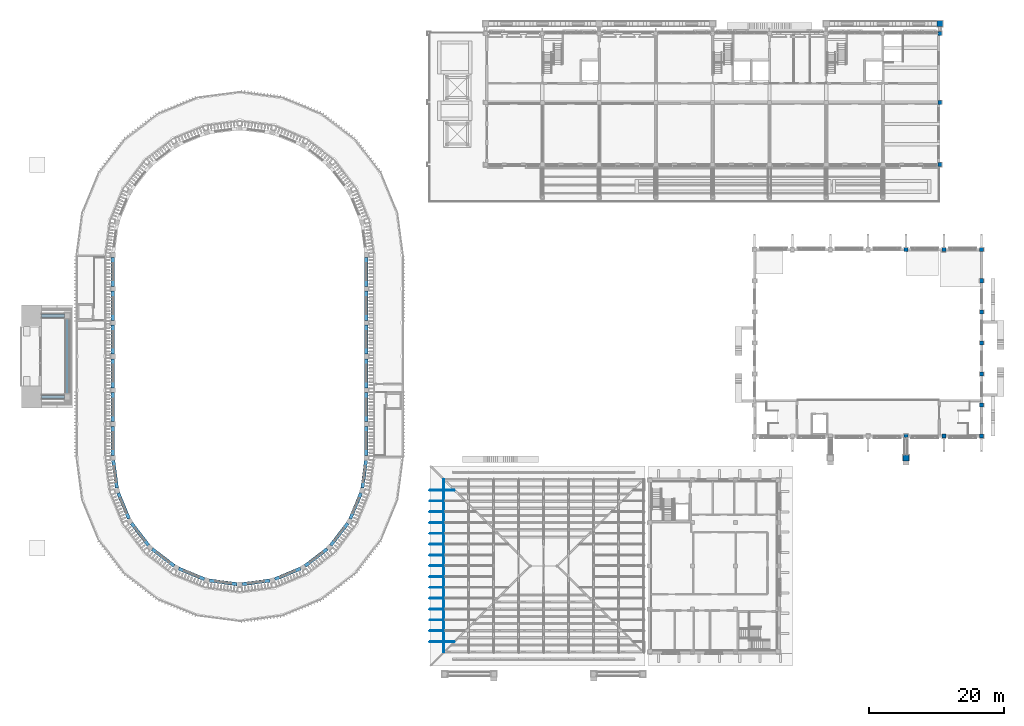
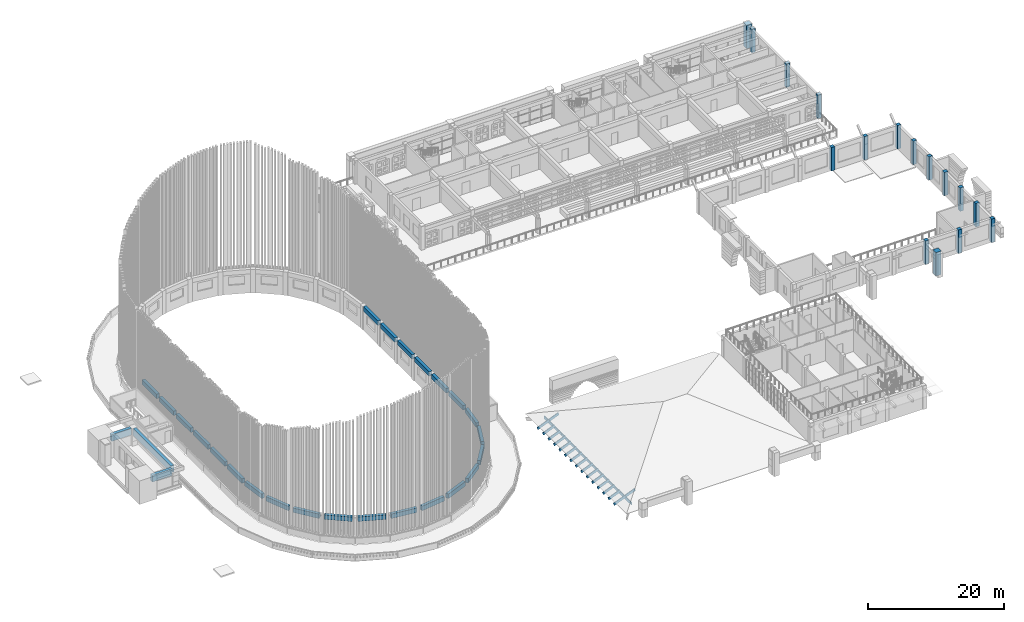
# One storey, part 3 of 68: 32 beams, 17 members, 16 columns.
"""IFC4 building model written with IfcOpenShell, lengths in metres."""

from ifc_helpers import new_model, si_unit, direction, frame, origin, origin_2d, place, context, subcontext, project, spatial, rectangle, extrude, material, material_profile, profile_set, type_object, element, save


model = new_model("IFC4")

# Units and contexts
model_context = context("Model", 3, precision=1e-05, world=origin(), true_north=direction((0.0, 1.0)))
body_context = subcontext(model_context, "Body", "Model", "MODEL_VIEW")
ifc_project = project(units=[si_unit("LENGTHUNIT", "METRE"), si_unit("AREAUNIT", "SQUARE_METRE"), si_unit("VOLUMEUNIT", "CUBIC_METRE"), si_unit("PLANEANGLEUNIT", "RADIAN"), si_unit("MASSUNIT", "GRAM", prefix="KILO")], contexts=[model_context])

# Site, building, storey
site_placement = place(None, origin())
site = spatial("IfcSite", under=ifc_project, at=site_placement, CompositionType="ELEMENT")
building_placement = place(site_placement, origin())
building = spatial("IfcBuilding", under=site, at=building_placement, Name="Wasatch Bagh Community Centre", CompositionType="ELEMENT")
storey_placement = place(building_placement, frame((0.0, 0.0, 8.39990234375)))
storey = spatial("IfcBuildingStorey", under=building, at=storey_placement, Name="L02", CompositionType="ELEMENT", Elevation=8.39990234375)

# Columns
ifc_material_1 = material(Name="Concrete C40", Category="concrete")
ifc_material_profile_1 = material_profile(ifc_material_1, rectangle(XDim=0.89990234375, YDim=0.89990234375, at=origin_2d()), Name="RC 900x900")
ifc_profile_set_1 = profile_set([ifc_material_profile_1], Name="Concrete C40")
column_type_1 = type_object("IfcColumnType", Name="CL-P1", PredefinedType="COLUMN", material=ifc_profile_set_1)
for number, where, z_axis, x_axis, name in (
    (1, (134.60009765625, 35.0, 0.0), (0.0, 0.0, 1.0), (1.0, 0.0, 0.0), "CL-P1 pier SHP2"),
    (2, (139.60009765625, 99.25, 0.0), (0.0, 0.0, 1.0), (1.0, 0.0, 0.0), "CL-P1 pier LWP06"),
):
    element("IfcColumn", number, at=place(storey_placement, frame(where, z_axis=z_axis, x_axis=x_axis)), inside=storey, type_object=column_type_1, Name=name, PredefinedType="COLUMN", context=body_context, shape_type="SweptSolid", body=[
        extrude(rectangle(XDim=0.89990234375, YDim=0.89990234375, at=origin_2d()), origin(), (0.0, 0.0, 1.0), 4.2001953125),
    ])
ifc_material_profile_2 = material_profile(ifc_material_1, rectangle(XDim=0.60009765625, YDim=0.60009765625, at=origin_2d()), Name="RC 600x600")
ifc_profile_set_2 = profile_set([ifc_material_profile_2], Name="Concrete C40")
column_type_2 = type_object("IfcColumnType", Name="LW RC 600x600", PredefinedType="COLUMN", material=ifc_profile_set_2)
for number, where, z_axis, x_axis, name in (
    (3, (139.60009765625, 87.60009765625, 0.0), (0.0, 0.0, 1.0), (1.0, 0.0, 0.0), "W10M"),
    (4, (139.60009765625, 97.800048828125, 0.0), (0.0, 0.0, 1.0), (1.0, 0.0, 0.0), "W10N"),
    (5, (139.60009765625, 78.39990234375, 0.0), (0.0, 0.0, 1.0), (1.0, 0.0, 0.0), "W10S"),
):
    element("IfcColumn", number, at=place(storey_placement, frame(where, z_axis=z_axis, x_axis=x_axis)), inside=storey, type_object=column_type_2, Name=name, PredefinedType="COLUMN", context=body_context, shape_type="SweptSolid", body=[
        extrude(rectangle(XDim=0.60009765625, YDim=0.60009765625, at=origin_2d()), origin(), (0.0, 0.0, 1.0), 4.2001953125),
    ])
ifc_material_profile_3 = material_profile(ifc_material_1, rectangle(XDim=0.60009765625, YDim=0.60009765625, at=origin_2d()), Name="RC 600x600")
ifc_profile_set_3 = profile_set([ifc_material_profile_3], Name="Concrete C40")
column_type_3 = type_object("IfcColumnType", Name="SH RC 600x600 column", PredefinedType="COLUMN", material=ifc_profile_set_3)
for number, where, z_axis, x_axis, name in (
    (6, (134.60009765625, 38.199951171875, 0.0), (0.0, 0.0, 1.0), (1.0, 0.0, 0.0), "SH.col.L02.p05"),
    (7, (140.199951171875, 38.199951171875, 0.0), (0.0, 0.0, 1.0), (1.0, 0.0, 0.0), "SH.col.L02.p06"),
    (8, (145.800048828125, 38.199951171875, 0.0), (0.0, 0.0, 1.0), (1.0, 0.0, 0.0), "SH.col.L02.p07"),
    (9, (134.60009765625, 65.800048828125, 0.0), (0.0, 0.0, 1.0), (1.0, 0.0, 0.0), "SH.col.L02.p12"),
    (10, (140.199951171875, 65.800048828125, 0.0), (0.0, 0.0, 1.0), (1.0, 0.0, 0.0), "SH.col.L02.p13"),
    (11, (145.800048828125, 65.800048828125, 0.0), (0.0, 0.0, 1.0), (1.0, 0.0, 0.0), "SH.col.L02.p14"),
    (12, (145.800048828125, 42.800048828125, 0.0), (0.0, 0.0, 1.0), (1.0, 0.0, 0.0), "SH.col.L02.p20"),
    (13, (145.800048828125, 47.39990234375, 0.0), (0.0, 0.0, 1.0), (1.0, 0.0, 0.0), "SH.col.L02.p21"),
    (14, (145.800048828125, 52.0, 0.0), (0.0, 0.0, 1.0), (1.0, 0.0, 0.0), "SH.col.L02.p22"),
    (15, (145.800048828125, 56.60009765625, 0.0), (0.0, 0.0, 1.0), (1.0, 0.0, 0.0), "SH.col.L02.p23"),
    (16, (145.800048828125, 61.199951171875, 0.0), (0.0, 0.0, 1.0), (1.0, 0.0, 0.0), "SH.col.L02.p24"),
):
    element("IfcColumn", number, at=place(storey_placement, frame(where, z_axis=z_axis, x_axis=x_axis)), inside=storey, type_object=column_type_3, Name=name, PredefinedType="COLUMN", context=body_context, shape_type="SweptSolid", body=[
        extrude(rectangle(XDim=0.60009765625, YDim=0.60009765625, at=origin_2d()), origin(), (0.0, 0.0, 1.0), 4.2001953125),
    ])

# Beams
ifc_material_2 = material(Name="Concrete C35", Category="concrete")
ifc_material_profile_4 = material_profile(ifc_material_2, rectangle(XDim=0.5, YDim=1.199951171875, at=origin_2d()), Name="RC 500x1200")
ifc_profile_set_4 = profile_set([ifc_material_profile_4], Name="Concrete C35")
beam_type_1 = type_object("IfcBeamType", Name="CP-B1", PredefinedType="BEAM", material=ifc_profile_set_4)
for number, where, z_axis, x_axis, name in (
    (17, (6.699951171875, 44.0, 2.75), (1.0, 0.0, 0.0), (0.0, 1.0, 0.0), "CP-B1 upper tie 1"),
    (18, (6.699951171875, 56.0, 2.75), (1.0, 0.0, 0.0), (0.0, 1.0, 0.0), "CP-B1 upper tie 2"),
):
    element("IfcBeam", number, at=place(storey_placement, frame(where, z_axis=z_axis, x_axis=x_axis)), inside=storey, type_object=beam_type_1, Name=name, PredefinedType="BEAM", context=body_context, shape_type="SweptSolid", body=[
        extrude(rectangle(XDim=0.5, YDim=1.199951171875, at=origin_2d()), origin(), (0.0, 0.0, 1.0), 3.35009765625),
    ])
beam_1_placement = place(storey_placement, frame((10.5, 44.449951171875, 2.75), z_axis=(0.0, 1.0, 0.0), x_axis=(-1.0, 0.0, 0.0)))
element("IfcBeam", 19, at=beam_1_placement, inside=storey, type_object=beam_type_1, Name="CP-B1 porch roof beam", PredefinedType="BEAM", context=body_context, shape_type="SweptSolid", body=[
    extrude(rectangle(XDim=0.5, YDim=1.199951171875, at=origin_2d()), origin(), (0.0, 0.0, 1.0), 11.10009765625),
])
ifc_material_3 = material(Name="Glulam 24F-V4 Douglas fir-larch", Category="wood")
ifc_material_profile_5 = material_profile(ifc_material_3, rectangle(XDim=0.130126953125, YDim=0.457275390625, at=origin_2d()), Name="GL 130x457")
ifc_profile_set_5 = profile_set([ifc_material_profile_5], Name="Glulam 24F-V4 Douglas fir-larch")
beam_type_2 = type_object("IfcBeamType", Name="DH GL 130x457 beam", PredefinedType="BEAM", material=ifc_profile_set_5)
beam_2_placement = place(storey_placement, frame((66.199951171875, 6.199951171875, 0.228759765625), z_axis=(0.0, 1.0, 0.0), x_axis=(-1.0, 0.0, 0.0)))
element("IfcBeam", 20, at=beam_2_placement, inside=storey, type_object=beam_type_2, Name="DH.beam.L01.platew1", PredefinedType="BEAM", context=body_context, shape_type="SweptSolid", body=[
    extrude(rectangle(XDim=0.130126953125, YDim=0.457275390625, at=origin_2d()), origin(), (0.0, 0.0, 1.0), 5.1201171875),
])
beam_3_placement = place(storey_placement, frame((66.199951171875, 11.320068359375, 0.228759765625), z_axis=(0.0, 1.0, 0.0), x_axis=(-1.0, 0.0, 0.0)))
element("IfcBeam", 21, at=beam_3_placement, inside=storey, type_object=beam_type_2, Name="DH.beam.L01.platew2", PredefinedType="BEAM", context=body_context, shape_type="SweptSolid", body=[
    extrude(rectangle(XDim=0.130126953125, YDim=0.457275390625, at=origin_2d()), origin(), (0.0, 0.0, 1.0), 5.119873046875),
])
beam_4_placement = place(storey_placement, frame((66.199951171875, 16.43994140625, 0.228759765625), z_axis=(0.0, 1.0, 0.0), x_axis=(-1.0, 0.0, 0.0)))
element("IfcBeam", 22, at=beam_4_placement, inside=storey, type_object=beam_type_2, Name="DH.beam.L01.platew3", PredefinedType="BEAM", context=body_context, shape_type="SweptSolid", body=[
    extrude(rectangle(XDim=0.130126953125, YDim=0.457275390625, at=origin_2d()), origin(), (0.0, 0.0, 1.0), 5.1201171875),
])
beam_5_placement = place(storey_placement, frame((66.199951171875, 21.56005859375, 0.228759765625), z_axis=(0.0, 1.0, 0.0), x_axis=(-1.0, 0.0, 0.0)))
element("IfcBeam", 23, at=beam_5_placement, inside=storey, type_object=beam_type_2, Name="DH.beam.L01.platew4", PredefinedType="BEAM", context=body_context, shape_type="SweptSolid", body=[
    extrude(rectangle(XDim=0.130126953125, YDim=0.457275390625, at=origin_2d()), origin(), (0.0, 0.0, 1.0), 5.119873046875),
])
beam_6_placement = place(storey_placement, frame((66.199951171875, 26.679931640625, 0.228759765625), z_axis=(0.0, 1.0, 0.0), x_axis=(-1.0, 0.0, 0.0)))
element("IfcBeam", 24, at=beam_6_placement, inside=storey, type_object=beam_type_2, Name="DH.beam.L01.platew5", PredefinedType="BEAM", context=body_context, shape_type="SweptSolid", body=[
    extrude(rectangle(XDim=0.130126953125, YDim=0.457275390625, at=origin_2d()), origin(), (0.0, 0.0, 1.0), 5.1201171875),
])

# Members
ifc_material_profile_6 = material_profile(ifc_material_3, rectangle(XDim=0.130126953125, YDim=0.457275390625, at=origin_2d()), Name="GL 130x457")
ifc_profile_set_6 = profile_set([ifc_material_profile_6], Name="Glulam 24F-V4 Douglas fir-larch")
member_type = type_object("IfcMemberType", Name="DH GL 130x457 rafter", PredefinedType="RAFTER", material=ifc_profile_set_6)
member_1_placement = place(storey_placement, frame((64.1142578125, 7.800048828125, -0.138916015625), z_axis=(0.927175317647, 0.0, 0.37462772234), x_axis=(0.0, 1.0, 0.0)))
element("IfcMember", 25, at=member_1_placement, inside=storey, type_object=member_type, Name="DH.RAF.W01.1", PredefinedType="RAFTER", context=body_context, shape_type="SweptSolid", body=[
    extrude(rectangle(XDim=0.130126953125, YDim=0.457275390625, at=origin_2d()), origin(), (0.0, 0.0, 1.0), 2.156982421875),
])
member_2_placement = place(storey_placement, frame((66.1142578125, 7.800048828125, 0.669189453125), z_axis=(0.927183259239, 0.0, 0.3746080669), x_axis=(0.0, 1.0, 0.0)))
element("IfcMember", 26, at=member_2_placement, inside=storey, type_object=member_type, Name="DH.RAF.W01.2", PredefinedType="RAFTER", context=body_context, shape_type="SweptSolid", body=[
    extrude(rectangle(XDim=0.130126953125, YDim=0.457275390625, at=origin_2d()), origin(), (0.0, 0.0, 1.0), 1.725830078125),
])
for number, where, z_axis, x_axis, name in (
    (27, (64.1142578125, 9.39990234375, -0.138916015625), (0.927175317647, 0.0, 0.37462772234), (0.0, 1.0, 0.0), "DH.RAF.W02.1"),
    (28, (64.1142578125, 11.0, -0.138916015625), (0.927175317647, 0.0, 0.37462772234), (0.0, 1.0, 0.0), "DH.RAF.W03.1"),
    (29, (64.1142578125, 12.60009765625, -0.138916015625), (0.927175317647, 0.0, 0.37462772234), (0.0, 1.0, 0.0), "DH.RAF.W04.1"),
    (30, (64.1142578125, 14.199951171875, -0.138916015625), (0.927175317647, 0.0, 0.37462772234), (0.0, 1.0, 0.0), "DH.RAF.W05.1"),
    (31, (64.1142578125, 15.800048828125, -0.138916015625), (0.927175317647, 0.0, 0.37462772234), (0.0, 1.0, 0.0), "DH.RAF.W06.1"),
    (32, (64.1142578125, 17.39990234375, -0.138916015625), (0.927175317647, 0.0, 0.37462772234), (0.0, 1.0, 0.0), "DH.RAF.W07.1"),
    (33, (64.1142578125, 19.0, -0.138916015625), (0.927175317647, 0.0, 0.37462772234), (0.0, 1.0, 0.0), "DH.RAF.W08.1"),
    (34, (64.1142578125, 20.60009765625, -0.138916015625), (0.927175317647, 0.0, 0.37462772234), (0.0, 1.0, 0.0), "DH.RAF.W09.1"),
    (35, (64.1142578125, 22.199951171875, -0.138916015625), (0.927175317647, 0.0, 0.37462772234), (0.0, 1.0, 0.0), "DH.RAF.W10.1"),
    (36, (64.1142578125, 23.800048828125, -0.138916015625), (0.927175317647, 0.0, 0.37462772234), (0.0, 1.0, 0.0), "DH.RAF.W11.1"),
    (37, (64.1142578125, 25.39990234375, -0.138916015625), (0.927175317647, 0.0, 0.37462772234), (0.0, 1.0, 0.0), "DH.RAF.W12.1"),
    (38, (64.1142578125, 27.0, -0.138916015625), (0.927175317647, 0.0, 0.37462772234), (0.0, 1.0, 0.0), "DH.RAF.W13.1"),
    (39, (64.1142578125, 28.60009765625, -0.138916015625), (0.927175317647, 0.0, 0.37462772234), (0.0, 1.0, 0.0), "DH.RAF.W14.1"),
    (40, (64.1142578125, 30.199951171875, -0.138916015625), (0.927175317647, 0.0, 0.37462772234), (0.0, 1.0, 0.0), "DH.RAF.W15.1"),
):
    element("IfcMember", number, at=place(storey_placement, frame(where, z_axis=z_axis, x_axis=x_axis)), inside=storey, type_object=member_type, Name=name, PredefinedType="RAFTER", context=body_context, shape_type="SweptSolid", body=[
        extrude(rectangle(XDim=0.130126953125, YDim=0.457275390625, at=origin_2d()), origin(), (0.0, 0.0, 1.0), 2.156982421875),
    ])
member_3_placement = place(storey_placement, frame((66.1142578125, 30.199951171875, 0.669189453125), z_axis=(0.927183259239, 0.0, 0.3746080669), x_axis=(0.0, 1.0, 0.0)))
element("IfcMember", 41, at=member_3_placement, inside=storey, type_object=member_type, Name="DH.RAF.W15.2", PredefinedType="RAFTER", context=body_context, shape_type="SweptSolid", body=[
    extrude(rectangle(XDim=0.130126953125, YDim=0.457275390625, at=origin_2d()), origin(), (0.0, 0.0, 1.0), 1.725830078125),
])

# Beams
ifc_material_profile_7 = material_profile(ifc_material_2, rectangle(XDim=0.5, YDim=0.800048828125, at=origin_2d()), Name="RC 500x800")
ifc_profile_set_7 = profile_set([ifc_material_profile_7], Name="Concrete C35")
beam_type_3 = type_object("IfcBeamType", Name="MH ring beam RC 500x800", PredefinedType="BEAM", material=ifc_profile_set_7)
for number, where, z_axis, x_axis, name in (
    (42, (17.300537109375, 34.616943359375, 3.800048828125), (0.130483623501, -0.991450464722, 0.0), (0.991450464722, 0.130483623501, 0.0), "Ring beam 12.6 W1-S1"),
    (43, (18.036865234375, 29.7900390625, 3.800048828125), (0.382688328955, -0.923877504262, 0.0), (0.923877504262, 0.382688328955, 0.0), "Ring beam 12.6 S1-S2"),
    (44, (19.997314453125, 25.318359375, 3.800048828125), (0.60877717335, -0.793341258985, 0.0), (0.793341258985, 0.60877717335, 0.0), "Ring beam 12.6 S2-S3"),
    (45, (23.04833984375, 21.506591796875, 3.800048828125), (0.793341258985, -0.60877717335, 0.0), (0.60877717335, 0.793341258985, 0.0), "Ring beam 12.6 S3-S4"),
    (46, (26.98193359375, 18.6142578125, 3.800048828125), (0.923877504262, -0.382688328955, 0.0), (0.382688328955, 0.923877504262, 0.0), "Ring beam 12.6 S4-S5"),
    (47, (31.5302734375, 16.83837890625, 3.800048828125), (0.991450464722, -0.130483623501, 0.0), (0.130483623501, 0.991450464722, 0.0), "Ring beam 12.6 S5-S6"),
    (48, (36.383056640625, 16.300537109375, 3.800048828125), (0.991450464722, 0.130483623501, 0.0), (-0.130483623501, 0.991450464722, 0.0), "Ring beam 12.6 S6-S7"),
    (49, (41.2099609375, 17.036865234375, 3.800048828125), (0.923877504262, 0.382688328955, 0.0), (-0.382688328955, 0.923877504262, 0.0), "Ring beam 12.6 S7-S8"),
    (50, (45.681640625, 18.997314453125, 3.800048828125), (0.793341258985, 0.60877717335, 0.0), (-0.60877717335, 0.793341258985, 0.0), "Ring beam 12.6 S8-S9"),
    (51, (49.493408203125, 22.04833984375, 3.800048828125), (0.60877717335, 0.793341258985, 0.0), (-0.793341258985, 0.60877717335, 0.0), "Ring beam 12.6 S9-S10"),
    (52, (52.3857421875, 25.98193359375, 3.800048828125), (0.382688328955, 0.923877504262, 0.0), (-0.923877504262, 0.382688328955, 0.0), "Ring beam 12.6 S10-S11"),
    (53, (54.16162109375, 30.5302734375, 3.800048828125), (0.130483623501, 0.991450464722, 0.0), (-0.991450464722, 0.130483623501, 0.0), "Ring beam 12.6 S11-E1"),
):
    element("IfcBeam", number, at=place(storey_placement, frame(where, z_axis=z_axis, x_axis=x_axis)), inside=storey, type_object=beam_type_3, Name=name, PredefinedType="BEAM", context=body_context, shape_type="SweptSolid", body=[
        extrude(rectangle(XDim=0.5, YDim=0.800048828125, at=origin_2d()), origin(), (0.0, 0.0, 1.0), 4.121826171875),
    ])
for number, where, z_axis, x_axis, name in (
    (54, (54.75, 35.3505859375, 3.800048828125), (0.0, 1.0, 0.0), (-1.0, 0.0, 0.0), "Ring beam 12.6 E1-E2"),
    (55, (54.75, 40.3505859375, 3.800048828125), (0.0, 1.0, 0.0), (-1.0, 0.0, 0.0), "Ring beam 12.6 E2-E3"),
    (56, (54.75, 45.3505859375, 3.800048828125), (0.0, 1.0, 0.0), (-1.0, 0.0, 0.0), "Ring beam 12.6 E3-E4"),
    (57, (54.75, 50.3505859375, 3.800048828125), (0.0, 1.0, 0.0), (-1.0, 0.0, 0.0), "Ring beam 12.6 E4-E5"),
    (58, (54.75, 55.3505859375, 3.800048828125), (0.0, 1.0, 0.0), (-1.0, 0.0, 0.0), "Ring beam 12.6 E5-E6"),
    (59, (54.75, 60.3505859375, 3.800048828125), (0.0, 1.0, 0.0), (-1.0, 0.0, 0.0), "Ring beam 12.6 E6-E7"),
    (60, (17.25, 64.6494140625, 3.800048828125), (0.0, -1.0, 0.0), (1.0, 0.0, 0.0), "Ring beam 12.6 W7-W6"),
    (61, (17.25, 59.6494140625, 3.800048828125), (0.0, -1.0, 0.0), (1.0, 0.0, 0.0), "Ring beam 12.6 W6-W5"),
    (62, (17.25, 54.6494140625, 3.800048828125), (0.0, -1.0, 0.0), (1.0, 0.0, 0.0), "Ring beam 12.6 W5-W4"),
    (63, (17.25, 49.6494140625, 3.800048828125), (0.0, -1.0, 0.0), (1.0, 0.0, 0.0), "Ring beam 12.6 W4-W3"),
    (64, (17.25, 44.6494140625, 3.800048828125), (0.0, -1.0, 0.0), (1.0, 0.0, 0.0), "Ring beam 12.6 W3-W2"),
    (65, (17.25, 39.6494140625, 3.800048828125), (0.0, -1.0, 0.0), (1.0, 0.0, 0.0), "Ring beam 12.6 W2-W1"),
):
    element("IfcBeam", number, at=place(storey_placement, frame(where, z_axis=z_axis, x_axis=x_axis)), inside=storey, type_object=beam_type_3, Name=name, PredefinedType="BEAM", context=body_context, shape_type="SweptSolid", body=[
        extrude(rectangle(XDim=0.5, YDim=0.800048828125, at=origin_2d()), origin(), (0.0, 0.0, 1.0), 4.298828125),
    ])

save(model, "model.ifc")
